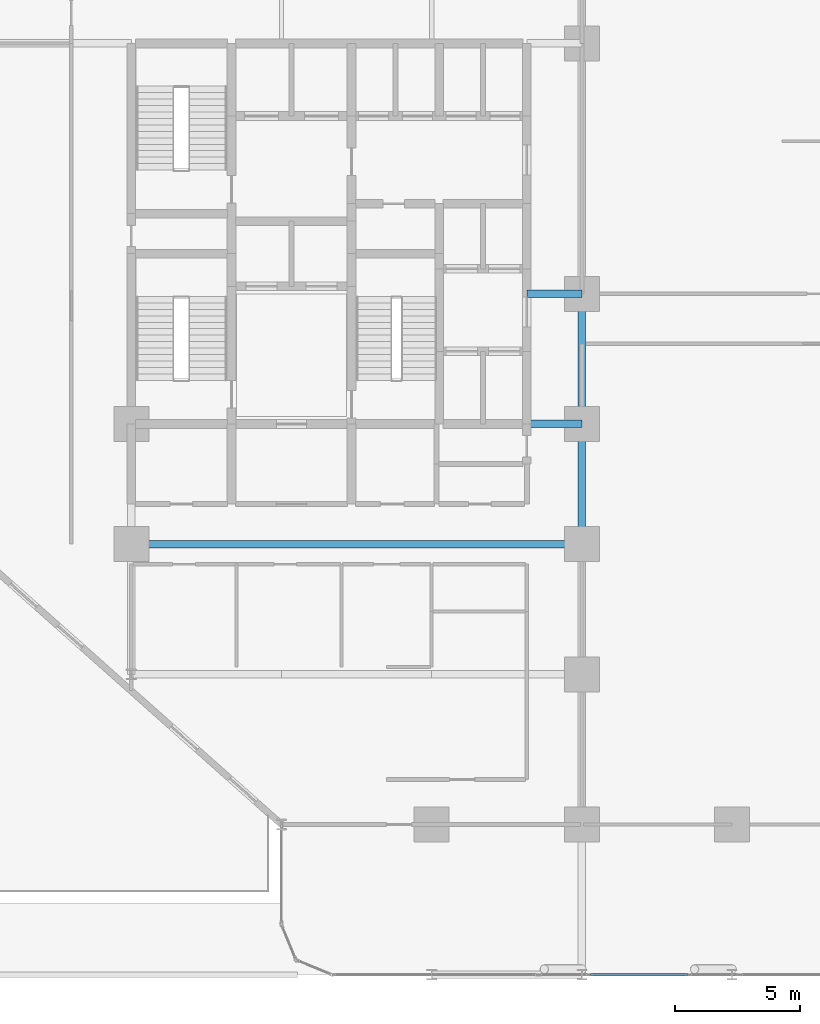
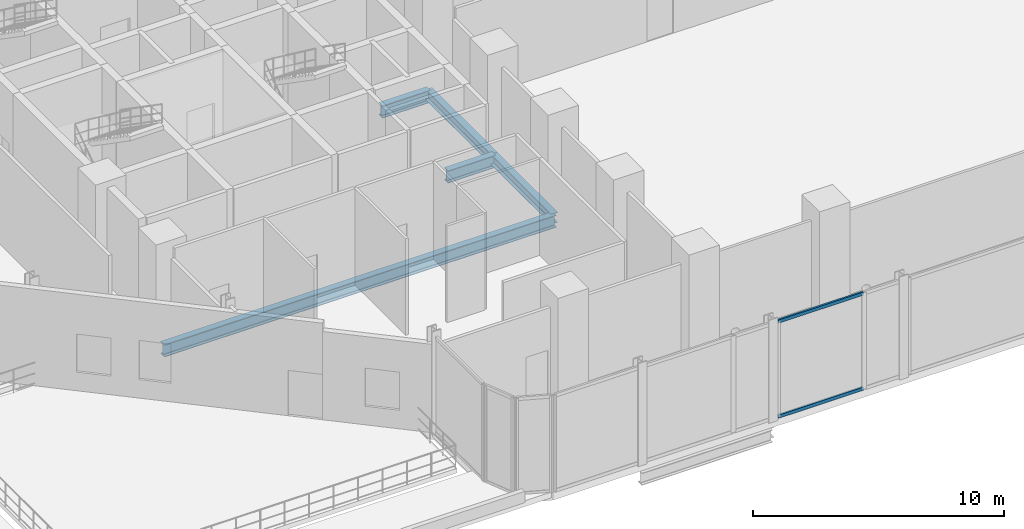
# One storey, part 5 of 29: 5 beams, 2 members, 1 element without a shape of its own.
"""IFC4 building model written with IfcOpenShell, lengths in metres."""

import ifcopenshell
import ifcopenshell.guid

model = None  # the IFC model being written
_history = None  # IfcOwnerHistory: only IFC2X3 demands one
_inside = {}  # id of a spatial element -> (the spatial element, [elements in it])
_under = {}  # id of a project, library or spatial element -> (it, [spatial elements below it])
_declared = {}  # id of a project -> (the project, [libraries it declares])
_typed = {}  # id of a type object -> (the type object, [elements of that type])
_made_of = {}  # id of a material, layer set ... -> (it, [elements and type objects made of it])


def new_model(schema):
    """Start an empty IFC model of exactly this schema.

    Asked for "IFC4X3", IfcOpenShell would pick the latest addendum, in which some entities
    have other attributes; the version numbers below select the first issue.
    IFC2X3 requires an IfcOwnerHistory on every rooted entity: one is made here for all.
    """
    global model, _history
    if schema == "IFC4X3":
        model = ifcopenshell.file(schema_version=(4, 3, 0, 0))
    else:
        model = ifcopenshell.file(schema=schema)
    _inside.clear()
    _under.clear()
    _declared.clear()
    _typed.clear()
    _made_of.clear()
    _history = None
    if model.schema == "IFC2X3":
        org = make("IfcOrganization", Name="unknown")
        user = make(
            "IfcPersonAndOrganization",
            ThePerson=make("IfcPerson", FamilyName="unknown"),
            TheOrganization=org,
        )
        app = make(
            "IfcApplication",
            ApplicationDeveloper=org,
            Version="unknown",
            ApplicationFullName="unknown",
            ApplicationIdentifier="unknown",
        )
        _history = make(
            "IfcOwnerHistory",
            OwningUser=user,
            OwningApplication=app,
            ChangeAction="ADDED",
            CreationDate=0,
        )
    return model


def make(cls, **values):
    """One entity of the class cls with the attributes given. An attribute that is None is left unset."""
    return model.create_entity(
        cls, **{name: value for name, value in values.items() if value is not None}
    )


def rooted(cls, **values):
    """An entity with a GlobalId (a new one), such as an element, a storey or a relation."""
    return make(cls, GlobalId=ifcopenshell.guid.new(), OwnerHistory=_history, **values)


def si_unit(unit_type, name, prefix=None):
    """IfcSIUnit, for example si_unit("LENGTHUNIT", "METRE", prefix="MILLI")."""
    return make("IfcSIUnit", UnitType=unit_type, Prefix=prefix, Name=name)


def assignment(units):
    """IfcUnitAssignment: the units of a project."""
    return None if units is None else make("IfcUnitAssignment", Units=units)


def point(xyz):
    """IfcCartesianPoint."""
    return None if xyz is None else make("IfcCartesianPoint", Coordinates=xyz)


def direction(xyz):
    """IfcDirection."""
    return None if xyz is None else make("IfcDirection", DirectionRatios=xyz)


def frame(location, z_axis=None, x_axis=None):
    """IfcAxis2Placement3D, a coordinate frame: its origin and axes. An axis left out is left unset."""
    return make(
        "IfcAxis2Placement3D",
        Location=point(location),
        Axis=direction(z_axis),
        RefDirection=direction(x_axis),
    )


def frame_2d(location, x_axis=None):
    """IfcAxis2Placement2D, a coordinate frame in the plane: its origin and x axis."""
    return make(
        "IfcAxis2Placement2D", Location=point(location), RefDirection=direction(x_axis)
    )


def origin():
    """The frame at (0, 0, 0) with its axes left unset."""
    return frame((0.0, 0.0, 0.0))


def origin_2d():
    """The frame at (0, 0) in the plane with its x axis left unset."""
    return frame_2d((0.0, 0.0))


def place(relative_to, where):
    """IfcLocalPlacement: puts the frame where relative to a parent placement (None: the world)."""
    return make(
        "IfcLocalPlacement", PlacementRelTo=relative_to, RelativePlacement=where
    )


def context(
    kind, dimensions, precision=None, world=None, true_north=None, identifier=None
):
    """IfcGeometricRepresentationContext, for example the 3D "Model" context."""
    return make(
        "IfcGeometricRepresentationContext",
        ContextIdentifier=identifier,
        ContextType=kind,
        CoordinateSpaceDimension=dimensions,
        Precision=precision,
        WorldCoordinateSystem=world,
        TrueNorth=true_north,
    )


def subcontext(parent, identifier, kind, view, scale=None):
    """IfcGeometricRepresentationSubContext, for example "Body" below "Model"."""
    return make(
        "IfcGeometricRepresentationSubContext",
        ContextIdentifier=identifier,
        ContextType=kind,
        ParentContext=parent,
        TargetScale=scale,
        TargetView=view,
    )


def project(units=None, contexts=None):
    """IfcProject with its units and contexts."""
    return rooted(
        "IfcProject",
        Name="project",
        RepresentationContexts=contexts,
        UnitsInContext=assignment(units),
    )


def spatial(cls, under=None, at=None, **own):
    """A site, building, storey or space (cls), placed at a placement, below another one or the project."""
    s = rooted(cls, ObjectPlacement=at, **own)
    if under is not None:
        _under.setdefault(under.id(), (under, []))[1].append(s)
    return s


def profile(cls, at=None, kind="AREA", **sizes):
    """A parametric profile (cls). Its sizes go by their IFC names, for example OverallWidth=200.0."""
    return make(cls, ProfileType=kind, Position=at, **sizes)


def hollow_rectangle(**sizes):
    """IfcRectangleHollowProfileDef."""
    return profile("IfcRectangleHollowProfileDef", **sizes)


def i_section(**sizes):
    """IfcIShapeProfileDef."""
    return profile("IfcIShapeProfileDef", **sizes)


def extrude(swept, where, along, depth):
    """IfcExtrudedAreaSolid: the profile swept, set in the frame where, extruded along a direction by depth."""
    return make(
        "IfcExtrudedAreaSolid",
        SweptArea=swept,
        Position=where,
        ExtrudedDirection=direction(along),
        Depth=depth,
    )


def shape(context_of_items, identifier, shape_type, items):
    """IfcShapeRepresentation: the items that make up one representation, for example the "Body"."""
    return make(
        "IfcShapeRepresentation",
        ContextOfItems=context_of_items,
        RepresentationIdentifier=identifier,
        RepresentationType=shape_type,
        Items=items,
    )


def material(Name=None, Category=None):
    """IfcMaterial."""
    return make("IfcMaterial", Name=Name, Category=Category)


def layer(
    of_material, thickness, ventilated=None, Name=None, Category=None, Priority=None
):
    """IfcMaterialLayer: one layer of a wall or slab, of a material (None: an air gap)."""
    return make(
        "IfcMaterialLayer",
        Material=of_material,
        LayerThickness=thickness,
        IsVentilated=ventilated,
        Name=Name,
        Category=Category,
        Priority=Priority,
    )


def layer_set(layers, Name=None):
    """IfcMaterialLayerSet."""
    return make("IfcMaterialLayerSet", MaterialLayers=layers, LayerSetName=Name)


def material_profile(
    of_material, cross_section, Name=None, Category=None, Priority=None
):
    """IfcMaterialProfile: a cross section and its material."""
    return make(
        "IfcMaterialProfile",
        Name=Name,
        Material=of_material,
        Profile=cross_section,
        Priority=Priority,
        Category=Category,
    )


def profile_set(profiles, Name=None, composite=None):
    """IfcMaterialProfileSet."""
    return make(
        "IfcMaterialProfileSet",
        Name=Name,
        MaterialProfiles=profiles,
        CompositeProfile=composite,
    )


def made_of(thing, what):
    """Note that an element or type object is made of a material, layer set ...; save() writes the relation."""
    if what is not None:
        _made_of.setdefault(what.id(), (what, []))[1].append(thing)
    return thing


def type_object(cls, material=None, **own):
    """A type object (cls), such as IfcWallType, which elements share."""
    return made_of(rooted(cls, **own), material)


def element(
    cls,
    number,
    at=None,
    inside=None,
    cuts=None,
    type_object=None,
    material=None,
    context=None,
    identifier="Body",
    shape_type=None,
    held_by="IfcProductDefinitionShape",
    body=None,
    shapes=None,
    **own,
):
    """One element of the class cls, such as IfcWall. Its Tag is "e" and its number.

    at: its placement. inside: the storey or other place that contains it. cuts: it is an
    opening in that element (IfcRelVoidsElement). A single representation is given by context,
    identifier, shape_type and body (its items); several are given by shapes. held_by: the class
    of the entity that holds the representations. save() writes the other relations.
    """
    e = rooted(cls, Tag="e%d" % number, ObjectPlacement=at, **own)
    if body is not None:
        shapes = [shape(context, identifier, shape_type, body)]
    if shapes is not None:
        e.Representation = make(held_by, Representations=shapes)
    if inside is not None:
        _inside.setdefault(inside.id(), (inside, []))[1].append(e)
    if cuts is not None:
        rooted(
            "IfcRelVoidsElement", RelatingBuildingElement=cuts, RelatedOpeningElement=e
        )
    if type_object is not None:
        _typed.setdefault(type_object.id(), (type_object, []))[1].append(e)
    return made_of(e, material)


def aggregate(whole, parts):
    """IfcRelAggregates: a whole, such as a stair, and the parts it consists of."""
    return rooted("IfcRelAggregates", RelatingObject=whole, RelatedObjects=parts)


def save(model, path):
    """Write the relations noted so far, then the file.

    IfcRelAggregates (storeys below a building ...), IfcRelContainedInSpatialStructure (elements
    in a storey), IfcRelDefinesByType, IfcRelAssociatesMaterial and IfcRelDeclares: one each for
    every whole, place, type object, material and project.
    """
    for whole, parts in _under.values():
        aggregate(whole, parts)
    for where, things in _inside.values():
        rooted(
            "IfcRelContainedInSpatialStructure",
            RelatedElements=things,
            RelatingStructure=where,
        )
    for kind, things in _typed.values():
        rooted("IfcRelDefinesByType", RelatedObjects=things, RelatingType=kind)
    for what, things in _made_of.values():
        rooted("IfcRelAssociatesMaterial", RelatedObjects=things, RelatingMaterial=what)
    for by, libraries in _declared.values():
        rooted("IfcRelDeclares", RelatingContext=by, RelatedDefinitions=libraries)
    model.write(path)


model = new_model("IFC4")

# Units and contexts
model_context = context("Model", 3, precision=1e-05, world=origin(), true_north=direction((0.0, 1.0)))
body_context = subcontext(model_context, "Body", "Model", "MODEL_VIEW")
ifc_project = project(units=[si_unit("LENGTHUNIT", "METRE"), si_unit("AREAUNIT", "SQUARE_METRE"), si_unit("VOLUMEUNIT", "CUBIC_METRE"), si_unit("PLANEANGLEUNIT", "RADIAN"), si_unit("MASSUNIT", "GRAM", prefix="KILO")], contexts=[model_context])

# Site, building, storey
site_placement = place(None, origin())
site = spatial("IfcSite", under=ifc_project, at=site_placement, CompositionType="ELEMENT")
building_placement = place(site_placement, origin())
building = spatial("IfcBuilding", under=site, at=building_placement, Name="Keshet Zoharim Tower", CompositionType="ELEMENT")
storey_placement = place(building_placement, frame((0.0, 0.0, 19.0)))
storey = spatial("IfcBuildingStorey", under=building, at=storey_placement, Name="L03", CompositionType="ELEMENT", Elevation=19.0)

# Beams
ifc_material_1 = material(Name="Steel S355", Category="steel")
ifc_material_profile_1 = material_profile(ifc_material_1, i_section(OverallWidth=0.300048828125, OverallDepth=0.60009765625, WebThickness=0.015380859375, FlangeThickness=0.030029296875, FilletRadius=0.027099609375, at=origin_2d()), Name="HEB600")
ifc_profile_set_1 = profile_set([ifc_material_profile_1], Name="Steel S355")
beam_type_1 = type_object("IfcBeamType", Name="BM-CLK-HB600", PredefinedType="BEAM", material=ifc_profile_set_1)
for number, where, z_axis, x_axis, name in (
    (1, (30.800048828125, 22.699951171875, -0.719970703125), (1.0, 0.0, 0.0), (0.0, 1.0, 0.0), "L03 Core Wall Link Girder 01"),
    (2, (30.800048828125, 27.89990234375, -0.719970703125), (1.0, 0.0, 0.0), (0.0, 1.0, 0.0), "L03 Core Wall Link Girder 02"),
):
    element("IfcBeam", number, at=place(storey_placement, frame(where, z_axis=z_axis, x_axis=x_axis)), inside=storey, type_object=beam_type_1, Name=name, PredefinedType="BEAM", context=body_context, shape_type="SweptSolid", body=[
        extrude(i_section(OverallWidth=0.300048828125, OverallDepth=0.60009765625, WebThickness=0.015380859375, FlangeThickness=0.030029296875, FilletRadius=0.027099609375, at=origin_2d()), origin(), (0.0, 0.0, 1.0), 2.199951171875),
    ])
ifc_material_profile_2 = material_profile(ifc_material_1, i_section(OverallWidth=0.300048828125, OverallDepth=0.60009765625, WebThickness=0.015380859375, FlangeThickness=0.030029296875, FilletRadius=0.027099609375, at=origin_2d()), Name="HEB600")
ifc_profile_set_2 = profile_set([ifc_material_profile_2], Name="Steel S355")
beam_type_2 = type_object("IfcBeamType", Name="BM-LNG-HB600", PredefinedType="BEAM", material=ifc_profile_set_2)
beam_1_placement = place(storey_placement, frame((15.0, 17.89990234375, -0.719970703125), z_axis=(1.0, 0.0, 0.0), x_axis=(0.0, 1.0, 0.0)))
element("IfcBeam", 3, at=beam_1_placement, inside=storey, type_object=beam_type_2, Name="L03 Primary Girder X-005", PredefinedType="BEAM", context=body_context, shape_type="SweptSolid", body=[
    extrude(i_section(OverallWidth=0.300048828125, OverallDepth=0.60009765625, WebThickness=0.015380859375, FlangeThickness=0.030029296875, FilletRadius=0.027099609375, at=origin_2d()), origin(), (0.0, 0.0, 1.0), 18.0),
])
ifc_material_profile_3 = material_profile(ifc_material_1, i_section(OverallWidth=0.300048828125, OverallDepth=0.5, WebThickness=0.014404296875, FlangeThickness=0.028076171875, FilletRadius=0.027099609375, at=origin_2d()), Name="HEB500")
ifc_profile_set_3 = profile_set([ifc_material_profile_3], Name="Steel S355")
beam_type_3 = type_object("IfcBeamType", Name="BM-WEB-HB500", PredefinedType="BEAM", material=ifc_profile_set_3)
beam_2_placement = place(storey_placement, frame((33.0, 17.89990234375, -0.669921875), z_axis=(0.0, 1.0, 0.0), x_axis=(-1.0, 0.0, 0.0)))
element("IfcBeam", 4, at=beam_2_placement, inside=storey, type_object=beam_type_3, Name="L03 Primary Girder Y-006", PredefinedType="BEAM", context=body_context, shape_type="SweptSolid", body=[
    extrude(i_section(OverallWidth=0.300048828125, OverallDepth=0.5, WebThickness=0.014404296875, FlangeThickness=0.028076171875, FilletRadius=0.027099609375, at=origin_2d()), origin(), (0.0, 0.0, 1.0), 4.800048828125),
])
beam_3_placement = place(storey_placement, frame((33.0, 22.699951171875, -0.669921875), z_axis=(0.0, 1.0, 0.0), x_axis=(-1.0, 0.0, 0.0)))
element("IfcBeam", 5, at=beam_3_placement, inside=storey, type_object=beam_type_3, Name="L03 Primary Girder Y-007", PredefinedType="BEAM", context=body_context, shape_type="SweptSolid", body=[
    extrude(i_section(OverallWidth=0.300048828125, OverallDepth=0.5, WebThickness=0.014404296875, FlangeThickness=0.028076171875, FilletRadius=0.027099609375, at=origin_2d()), origin(), (0.0, 0.0, 1.0), 5.199951171875),
])

# Curtain wall, members
ifc_material_2 = material(Name="Aluminium 6063-T6", Category="aluminium")
ifc_layer = layer(ifc_material_2, 0.179931640625)
ifc_layer_set = layer_set([ifc_layer], Name="Aluminium 6063-T6")
curtain_wall_type = type_object("IfcCurtainWallType", Name="CW-SYS-01", PredefinedType="NOTDEFINED", material=ifc_layer_set)
curtain_wall_placement = place(storey_placement, origin())
curtain_wall = element("IfcCurtainWall", 6, at=curtain_wall_placement, inside=storey, type_object=curtain_wall_type, Name="L03 Unitised Curtain Wall 25 Part 3", PredefinedType="NOTDEFINED")
ifc_material_profile_4 = material_profile(ifc_material_2, hollow_rectangle(XDim=0.0849609375, YDim=0.159912109375, WallThickness=0.00439453125, at=origin_2d()), Name="TRN-85x160")
ifc_profile_set_4 = profile_set([ifc_material_profile_4], Name="Aluminium 6063-T6")
member_type = type_object("IfcMemberType", Name="CWT-T16", PredefinedType="USERDEFINED", material=ifc_profile_set_4)
member_1_placement = place(storey_placement, frame((37.230712890625, 0.699951171875, 0.034912109375), z_axis=(-1.0, 0.0, 0.0), x_axis=(0.0, -1.0, 0.0)))
member_1 = element("IfcMember", 7, at=member_1_placement, type_object=member_type, Name="CW-01 transom 1.1", ObjectType="TRANSOM", PredefinedType="USERDEFINED", context=body_context, shape_type="SweptSolid", body=[
    extrude(hollow_rectangle(XDim=0.0849609375, YDim=0.159912109375, WallThickness=0.00439453125, at=origin_2d()), origin(), (0.0, 0.0, 1.0), 3.891357421875),
])
member_2_placement = place(storey_placement, frame((37.230712890625, 0.699951171875, 4.64990234375), z_axis=(-1.0, 0.0, 0.0), x_axis=(0.0, -1.0, 0.0)))
member_2 = element("IfcMember", 8, at=member_2_placement, type_object=member_type, Name="CW-01 transom 1.2", ObjectType="TRANSOM", PredefinedType="USERDEFINED", context=body_context, shape_type="SweptSolid", body=[
    extrude(hollow_rectangle(XDim=0.0849609375, YDim=0.159912109375, WallThickness=0.00439453125, at=origin_2d()), origin(), (0.0, 0.0, 1.0), 3.891357421875),
])
aggregate(curtain_wall, [member_1, member_2])

save(model, "model.ifc")
